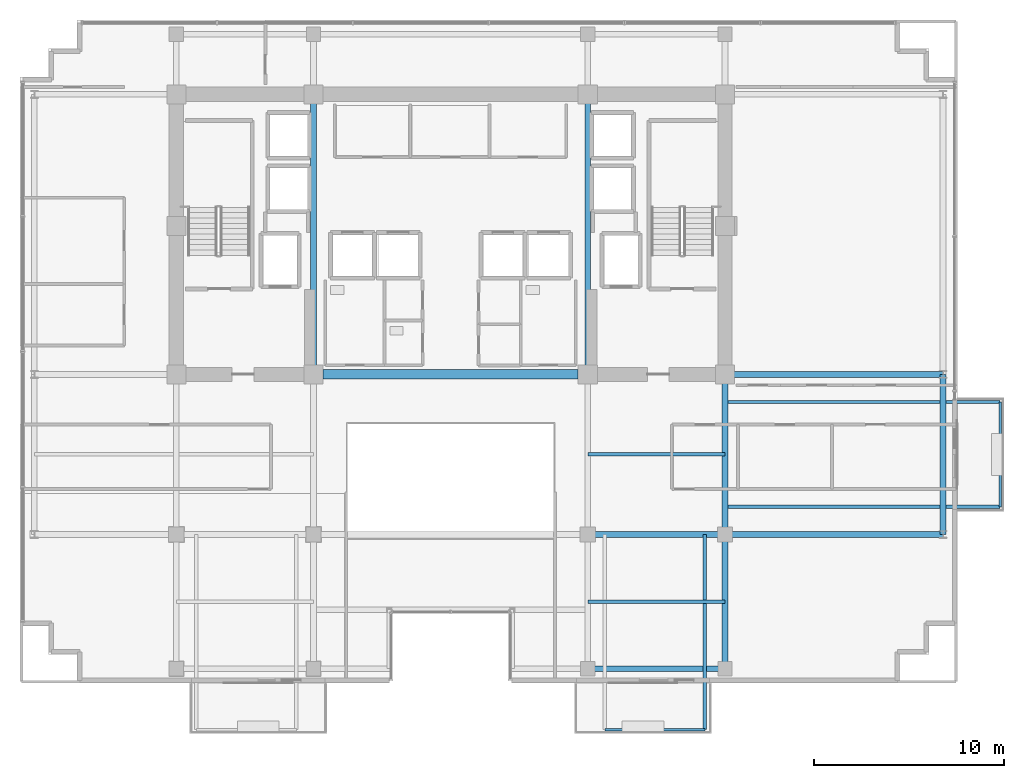
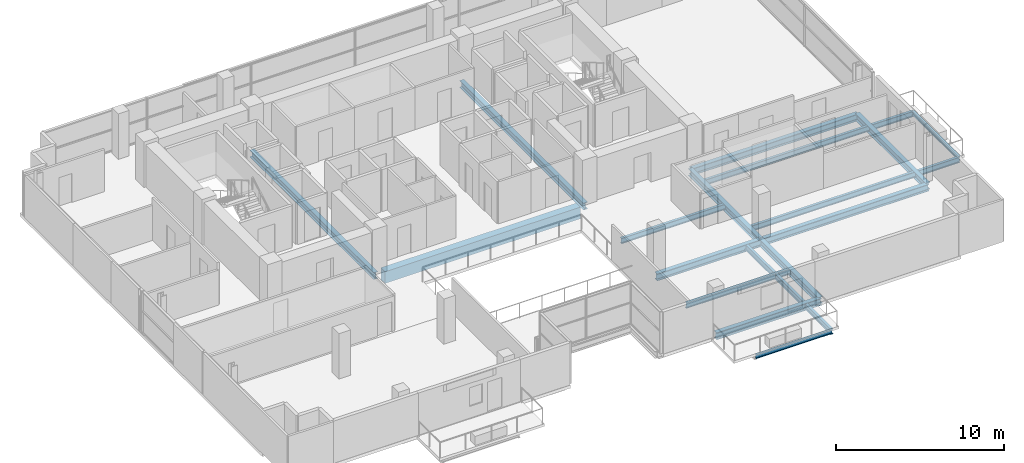
# One storey, part 8 of 22: 17 beams.
"""IFC4 building model written with IfcOpenShell, lengths in metres."""

from ifc_helpers import new_model, si_unit, direction, frame, origin, origin_2d, place, context, subcontext, project, spatial, rectangle, i_section, extrude, material, material_profile, profile_set, type_object, element, save


model = new_model("IFC4")

# Units and contexts
model_context = context("Model", 3, precision=1e-05, world=origin(), true_north=direction((0.0, 1.0)))
body_context = subcontext(model_context, "Body", "Model", "MODEL_VIEW")
ifc_project = project(units=[si_unit("LENGTHUNIT", "METRE"), si_unit("AREAUNIT", "SQUARE_METRE"), si_unit("VOLUMEUNIT", "CUBIC_METRE"), si_unit("PLANEANGLEUNIT", "RADIAN"), si_unit("MASSUNIT", "GRAM", prefix="KILO")], contexts=[model_context])

# Site, building, storey
site_placement = place(None, origin())
site = spatial("IfcSite", under=ifc_project, at=site_placement, CompositionType="ELEMENT")
building_placement = place(site_placement, origin())
building = spatial("IfcBuilding", under=site, at=building_placement, Name="Zarnakvel Exchange Tower", CompositionType="ELEMENT")
storey_placement = place(building_placement, frame((0.0, 0.0, 195.699951171875)))
storey = spatial("IfcBuildingStorey", under=building, at=storey_placement, Name="L55", CompositionType="ELEMENT", Elevation=195.699951171875)

# Beams
ifc_material_1 = material(Name="Steel S355", Category="steel")
ifc_material_profile_1 = material_profile(ifc_material_1, i_section(OverallWidth=0.179931640625, OverallDepth=0.39990234375, WebThickness=0.008544921875, FlangeThickness=0.013427734375, FilletRadius=0.02099609375, at=origin_2d()))
ifc_profile_set_1 = profile_set([ifc_material_profile_1], Name="Steel S355")
beam_type_1 = type_object("IfcBeamType", Name="B-06", PredefinedType="JOIST", material=ifc_profile_set_1)
for number, where, z_axis, x_axis, name in (
    (1, (7.199951171875, -13.125, -0.425048828125), (1.0, 0.0, 0.0), (0.0, 1.0, 0.0), "L55 Composite Floor Secondary Joist"),
    (2, (7.199951171875, -5.39990234375, -0.425048828125), (1.0, 0.0, 0.0), (0.0, 1.0, 0.0), "L55 Composite Floor Secondary Joist"),
):
    element("IfcBeam", number, at=place(storey_placement, frame(where, z_axis=z_axis, x_axis=x_axis)), inside=storey, type_object=beam_type_1, Name=name, PredefinedType="JOIST", context=body_context, shape_type="SweptSolid", body=[
        extrude(i_section(OverallWidth=0.179931640625, OverallDepth=0.39990234375, WebThickness=0.008544921875, FlangeThickness=0.013427734375, FilletRadius=0.02099609375, at=origin_2d()), origin(), (0.0, 0.0, 1.0), 7.199951171875),
    ])
beam_1_placement = place(storey_placement, frame((13.35009765625, -9.60009765625, -0.425048828125), z_axis=(0.0, -1.0, 0.0), x_axis=(1.0, 0.0, 0.0)))
element("IfcBeam", 3, at=beam_1_placement, inside=storey, type_object=beam_type_1, Name="L55 Continuous Back-Spanned Balcony Beam E", PredefinedType="JOIST", context=body_context, shape_type="SweptSolid", body=[
    extrude(i_section(OverallWidth=0.179931640625, OverallDepth=0.39990234375, WebThickness=0.008544921875, FlangeThickness=0.013427734375, FilletRadius=0.02099609375, at=origin_2d()), origin(), (0.0, 0.0, 1.0), 10.25),
])
for number, where, z_axis, x_axis, name in (
    (4, (14.39990234375, -8.14990234375, -0.425048828125), (1.0, 0.0, 0.0), (0.0, 1.0, 0.0), "L55 Continuous East Loggia Beam S"),
    (5, (14.39990234375, -2.64990234375, -0.425048828125), (1.0, 0.0, 0.0), (0.0, 1.0, 0.0), "L55 Continuous East Loggia Beam N"),
):
    element("IfcBeam", number, at=place(storey_placement, frame(where, z_axis=z_axis, x_axis=x_axis)), inside=storey, type_object=beam_type_1, Name=name, PredefinedType="JOIST", context=body_context, shape_type="SweptSolid", body=[
        extrude(i_section(OverallWidth=0.179931640625, OverallDepth=0.39990234375, WebThickness=0.008544921875, FlangeThickness=0.013427734375, FilletRadius=0.02099609375, at=origin_2d()), origin(), (0.0, 0.0, 1.0), 14.4501953125),
    ])
ifc_material_profile_2 = material_profile(ifc_material_1, i_section(OverallWidth=0.14990234375, OverallDepth=0.300048828125, WebThickness=0.007080078125, FlangeThickness=0.0107421875, FilletRadius=0.014892578125, at=origin_2d()))
ifc_profile_set_2 = profile_set([ifc_material_profile_2], Name="Steel S355")
beam_type_2 = type_object("IfcBeamType", Name="B-08", PredefinedType="JOIST", material=ifc_profile_set_2)
beam_2_placement = place(storey_placement, frame((8.10009765625, -19.85009765625, -0.375), z_axis=(1.0, 0.0, 0.0), x_axis=(0.0, 1.0, 0.0)))
element("IfcBeam", 6, at=beam_2_placement, inside=storey, type_object=beam_type_2, Name="L55 Balcony Edge Beam", PredefinedType="JOIST", context=body_context, shape_type="SweptSolid", body=[
    extrude(i_section(OverallWidth=0.14990234375, OverallDepth=0.300048828125, WebThickness=0.007080078125, FlangeThickness=0.0107421875, FilletRadius=0.014892578125, at=origin_2d()), origin(), (0.0, 0.0, 1.0), 5.25),
])
beam_3_placement = place(storey_placement, frame((28.85009765625, -8.14990234375, -0.375), z_axis=(0.0, 1.0, 0.0), x_axis=(-1.0, 0.0, 0.0)))
element("IfcBeam", 7, at=beam_3_placement, inside=storey, type_object=beam_type_2, Name="L55 East Loggia Edge Beam", PredefinedType="JOIST", context=body_context, shape_type="SweptSolid", body=[
    extrude(i_section(OverallWidth=0.14990234375, OverallDepth=0.300048828125, WebThickness=0.007080078125, FlangeThickness=0.0107421875, FilletRadius=0.014892578125, at=origin_2d()), origin(), (0.0, 0.0, 1.0), 5.5),
])
ifc_material_2 = material(Name="Concrete C60/75", Category="concrete")
ifc_material_profile_3 = material_profile(ifc_material_2, rectangle(XDim=0.5, YDim=0.85009765625, at=origin_2d()))
ifc_profile_set_3 = profile_set([ifc_material_profile_3], Name="Concrete C60/75")
beam_type_3 = type_object("IfcBeamType", Name="CB-02", PredefinedType="LINTEL", material=ifc_profile_set_3)
beam_4_placement = place(storey_placement, frame((-6.699951171875, -1.199951171875, -0.64990234375), z_axis=(1.0, 0.0, 0.0), x_axis=(0.0, 1.0, 0.0)))
element("IfcBeam", 8, at=beam_4_placement, inside=storey, type_object=beam_type_3, Name="L55 Rear Core South Coupling Beam (CB-02)", PredefinedType="LINTEL", context=body_context, shape_type="SweptSolid", body=[
    extrude(rectangle(XDim=0.5, YDim=0.85009765625, at=origin_2d()), origin(), (0.0, 0.0, 1.0), 13.39990234375),
])
ifc_material_profile_4 = material_profile(ifc_material_1, i_section(OverallWidth=0.300048828125, OverallDepth=0.5, WebThickness=0.014404296875, FlangeThickness=0.028076171875, FilletRadius=0.027099609375, at=origin_2d()))
ifc_profile_set_4 = profile_set([ifc_material_profile_4], Name="Steel S355")
beam_type_4 = type_object("IfcBeamType", Name="G-06", PredefinedType="BEAM", material=ifc_profile_set_4)
beam_5_placement = place(storey_placement, frame((7.199951171875, -9.60009765625, -0.474853515625), z_axis=(1.0, 0.0, 0.0), x_axis=(0.0, 1.0, 0.0)))
element("IfcBeam", 9, at=beam_5_placement, inside=storey, type_object=beam_type_4, Name="L55 Tower E-W Frame Beam", PredefinedType="BEAM", context=body_context, shape_type="SweptSolid", body=[
    extrude(i_section(OverallWidth=0.300048828125, OverallDepth=0.5, WebThickness=0.014404296875, FlangeThickness=0.028076171875, FilletRadius=0.027099609375, at=origin_2d()), origin(), (0.0, 0.0, 1.0), 7.199951171875),
])
for number, where, z_axis, x_axis, name in (
    (10, (14.39990234375, -9.60009765625, -0.474853515625), (1.0, 0.0, 0.0), (0.0, 1.0, 0.0), "L55 Tower E-W Frame Beam"),
    (11, (14.39990234375, -1.199951171875, -0.474853515625), (1.0, 0.0, 0.0), (0.0, 1.0, 0.0), "L55 Tower E-W Frame Beam"),
):
    element("IfcBeam", number, at=place(storey_placement, frame(where, z_axis=z_axis, x_axis=x_axis)), inside=storey, type_object=beam_type_4, Name=name, PredefinedType="BEAM", context=body_context, shape_type="SweptSolid", body=[
        extrude(i_section(OverallWidth=0.300048828125, OverallDepth=0.5, WebThickness=0.014404296875, FlangeThickness=0.028076171875, FilletRadius=0.027099609375, at=origin_2d()), origin(), (0.0, 0.0, 1.0), 11.4501953125),
    ])
for number, where, z_axis, x_axis, name in (
    (12, (-7.199951171875, -1.199951171875, -0.474853515625), (0.0, 1.0, 0.0), (-1.0, 0.0, 0.0), "L55 Tower N-S Frame Beam"),
    (13, (7.199951171875, -1.199951171875, -0.474853515625), (0.0, 1.0, 0.0), (-1.0, 0.0, 0.0), "L55 Tower N-S Frame Beam"),
):
    element("IfcBeam", number, at=place(storey_placement, frame(where, z_axis=z_axis, x_axis=x_axis)), inside=storey, type_object=beam_type_4, Name=name, PredefinedType="BEAM", context=body_context, shape_type="SweptSolid", body=[
        extrude(i_section(OverallWidth=0.300048828125, OverallDepth=0.5, WebThickness=0.014404296875, FlangeThickness=0.028076171875, FilletRadius=0.027099609375, at=origin_2d()), origin(), (0.0, 0.0, 1.0), 14.699951171875),
    ])
beam_6_placement = place(storey_placement, frame((14.39990234375, -16.64990234375, -0.474853515625), z_axis=(0.0, 1.0, 0.0), x_axis=(-1.0, 0.0, 0.0)))
element("IfcBeam", 14, at=beam_6_placement, inside=storey, type_object=beam_type_4, Name="L55 Tower N-S Frame Beam", PredefinedType="BEAM", context=body_context, shape_type="SweptSolid", body=[
    extrude(i_section(OverallWidth=0.300048828125, OverallDepth=0.5, WebThickness=0.014404296875, FlangeThickness=0.028076171875, FilletRadius=0.027099609375, at=origin_2d()), origin(), (0.0, 0.0, 1.0), 7.0498046875),
])
beam_7_placement = place(storey_placement, frame((14.39990234375, -9.60009765625, -0.474853515625), z_axis=(0.0, 1.0, 0.0), x_axis=(-1.0, 0.0, 0.0)))
element("IfcBeam", 15, at=beam_7_placement, inside=storey, type_object=beam_type_4, Name="L55 Tower N-S Frame Beam", PredefinedType="BEAM", context=body_context, shape_type="SweptSolid", body=[
    extrude(i_section(OverallWidth=0.300048828125, OverallDepth=0.5, WebThickness=0.014404296875, FlangeThickness=0.028076171875, FilletRadius=0.027099609375, at=origin_2d()), origin(), (0.0, 0.0, 1.0), 8.400146484375),
])
ifc_material_profile_5 = material_profile(ifc_material_1, i_section(OverallWidth=0.300048828125, OverallDepth=0.5, WebThickness=0.014404296875, FlangeThickness=0.028076171875, FilletRadius=0.027099609375, at=origin_2d()))
ifc_profile_set_5 = profile_set([ifc_material_profile_5], Name="Steel S355")
beam_type_5 = type_object("IfcBeamType", Name="SP-02", PredefinedType="SPANDREL", material=ifc_profile_set_5)
beam_8_placement = place(storey_placement, frame((7.199951171875, -16.64990234375, -0.474853515625), z_axis=(1.0, 0.0, 0.0), x_axis=(0.0, 1.0, 0.0)))
element("IfcBeam", 16, at=beam_8_placement, inside=storey, type_object=beam_type_5, Name="L55 Tower E-W Frame Beam", PredefinedType="SPANDREL", context=body_context, shape_type="SweptSolid", body=[
    extrude(i_section(OverallWidth=0.300048828125, OverallDepth=0.5, WebThickness=0.014404296875, FlangeThickness=0.028076171875, FilletRadius=0.027099609375, at=origin_2d()), origin(), (0.0, 0.0, 1.0), 7.199951171875),
])
beam_9_placement = place(storey_placement, frame((25.85009765625, -9.60009765625, -0.474853515625), z_axis=(0.0, 1.0, 0.0), x_axis=(-1.0, 0.0, 0.0)))
element("IfcBeam", 17, at=beam_9_placement, inside=storey, type_object=beam_type_5, Name="L55 Tower N-S Frame Beam", PredefinedType="SPANDREL", context=body_context, shape_type="SweptSolid", body=[
    extrude(i_section(OverallWidth=0.300048828125, OverallDepth=0.5, WebThickness=0.014404296875, FlangeThickness=0.028076171875, FilletRadius=0.027099609375, at=origin_2d()), origin(), (0.0, 0.0, 1.0), 8.400146484375),
])

save(model, "model.ifc")
